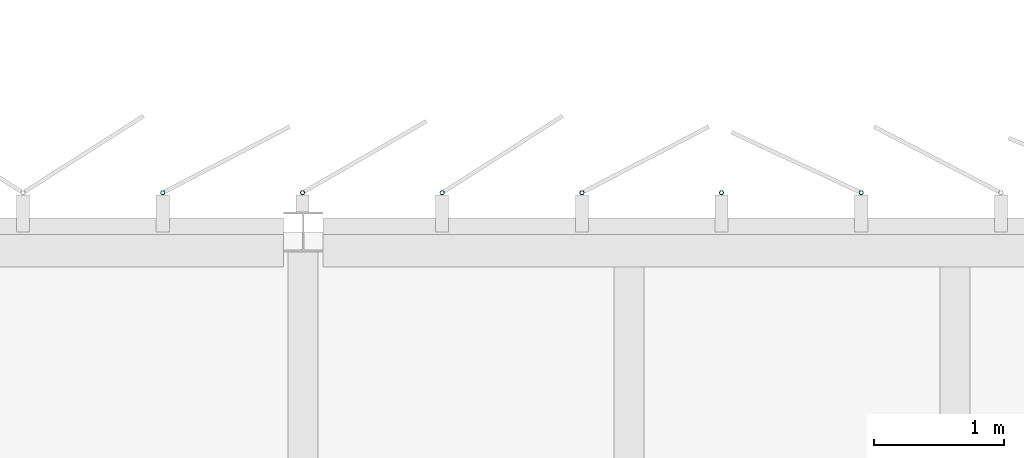
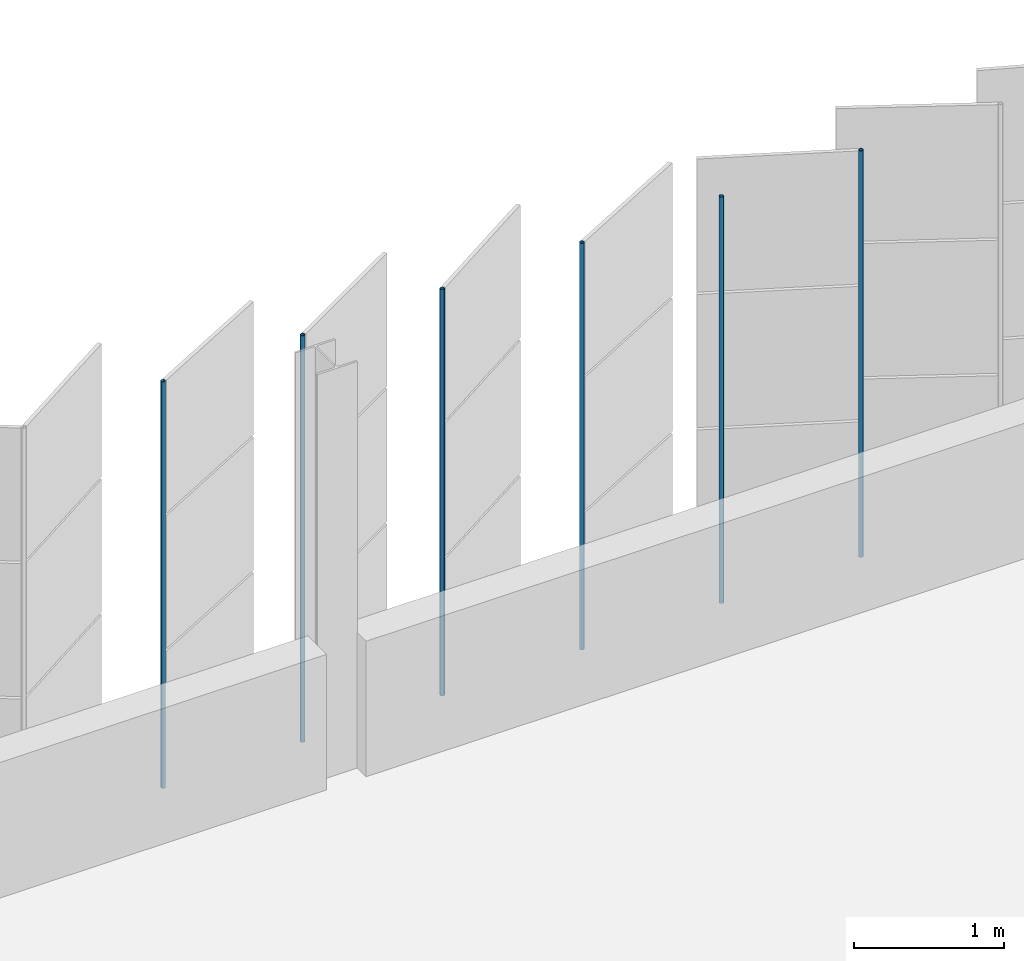
# One storey, part 147 of 199: 6 discrete accessories.
"""IFC4 building model written with IfcOpenShell, lengths in metres."""

from ifc_helpers import new_model, si_unit, direction, frame, origin, origin_2d, place, context, subcontext, project, spatial, hollow_circle, extrude, material, material_profile, profile_set, type_object, element, save


model = new_model("IFC4")

# Units and contexts
model_context = context("Model", 3, precision=1e-05, world=origin(), true_north=direction((0.0, 1.0)))
body_context = subcontext(model_context, "Body", "Model", "MODEL_VIEW")
ifc_project = project(units=[si_unit("LENGTHUNIT", "METRE"), si_unit("AREAUNIT", "SQUARE_METRE"), si_unit("VOLUMEUNIT", "CUBIC_METRE"), si_unit("PLANEANGLEUNIT", "RADIAN"), si_unit("MASSUNIT", "GRAM", prefix="KILO")], contexts=[model_context])

# Site, building, storey
site_placement = place(None, origin())
site = spatial("IfcSite", under=ifc_project, at=site_placement, CompositionType="ELEMENT")
building_placement = place(site_placement, origin())
building = spatial("IfcBuilding", under=site, at=building_placement, Name="Parallax Yard Mobility Hub", CompositionType="ELEMENT")
storey_placement = place(building_placement, frame((0.0, 0.0, 9.89990234375)))
storey = spatial("IfcBuildingStorey", under=building, at=storey_placement, Name="L03", CompositionType="ELEMENT", Elevation=9.89990234375)

# Discrete accessories
ifc_material = material(Name="Steel ASTM A500 Gr C, hot-dip galvanised", Category="steel")
ifc_material_profile = material_profile(ifc_material, hollow_circle(Radius=0.016845703125, WallThickness=0.003173828125, at=origin_2d()), Name="CHS 33.7x3.2")
ifc_profile_set = profile_set([ifc_material_profile], Name="Steel ASTM A500 Gr C, hot-dip galvanised")
discrete_accessory_type = type_object("IfcDiscreteAccessoryType", Name="Hinge post CHS 33.7x3.2", PredefinedType="BRACKET", material=ifc_profile_set)
for number, where, z_axis, x_axis, name in (
    (1, (116.781005859375, 142.800048828125, 0.0), (0.0, 0.0, 1.0), (1.0, 0.0, 0.0), "Hinge post bay 58.4 level L03"),
    (2, (115.70947265625, 142.800048828125, 0.0), (0.0, 0.0, 1.0), (1.0, 0.0, 0.0), "Hinge post bay 58.5 level L03"),
    (3, (114.637939453125, 142.800048828125, 0.0), (0.0, 0.0, 1.0), (1.0, 0.0, 0.0), "Hinge post bay 58.6 level L03"),
    (4, (113.56640625, 142.800048828125, 0.0), (0.0, 0.0, 1.0), (1.0, 0.0, 0.0), "Hinge post bay 58.7 level L03"),
    (5, (112.494873046875, 142.800048828125, 0.0), (0.0, 0.0, 1.0), (1.0, 0.0, 0.0), "Hinge post bay 59.1 level L03"),
    (6, (111.423095703125, 142.800048828125, 0.0), (0.0, 0.0, 1.0), (1.0, 0.0, 0.0), "Hinge post bay 59.2 level L03"),
):
    element("IfcDiscreteAccessory", number, at=place(storey_placement, frame(where, z_axis=z_axis, x_axis=x_axis)), inside=storey, type_object=discrete_accessory_type, Name=name, PredefinedType="BRACKET", context=body_context, shape_type="SweptSolid", body=[
        extrude(hollow_circle(Radius=0.016845703125, WallThickness=0.003173828125, at=origin_2d()), origin(), (0.0, 0.0, 1.0), 3.300048828125),
    ])

save(model, "model.ifc")
